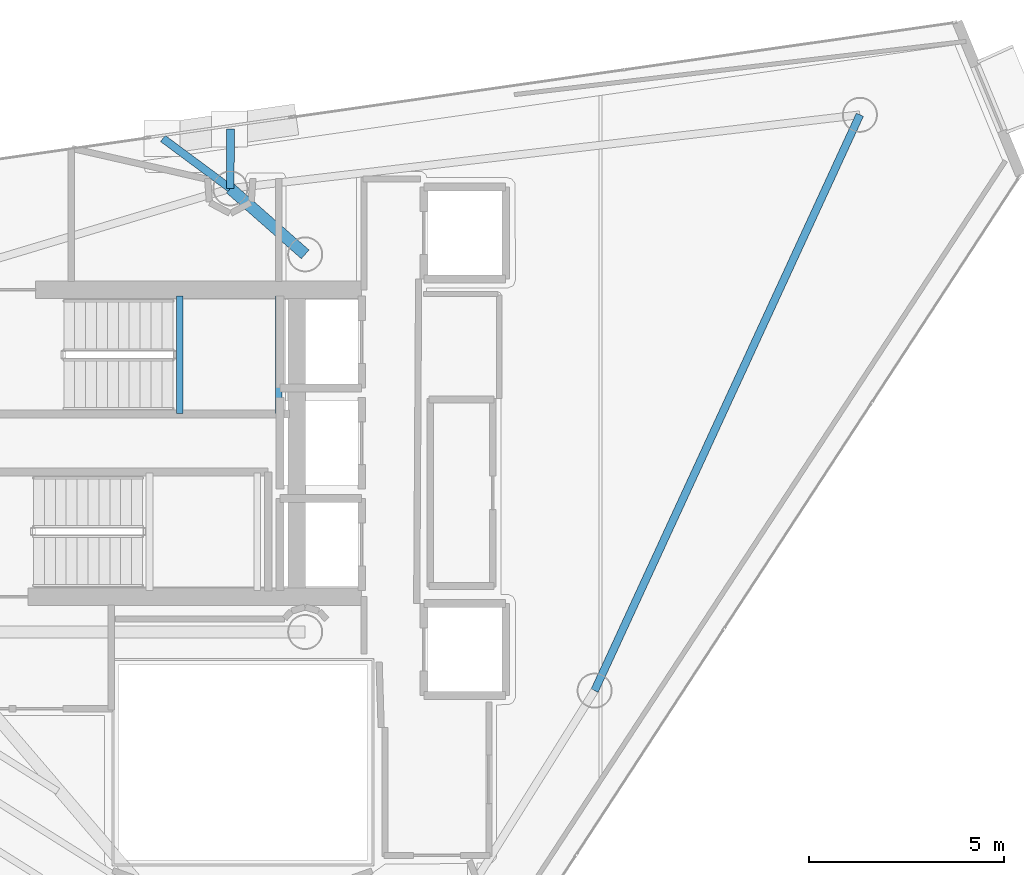
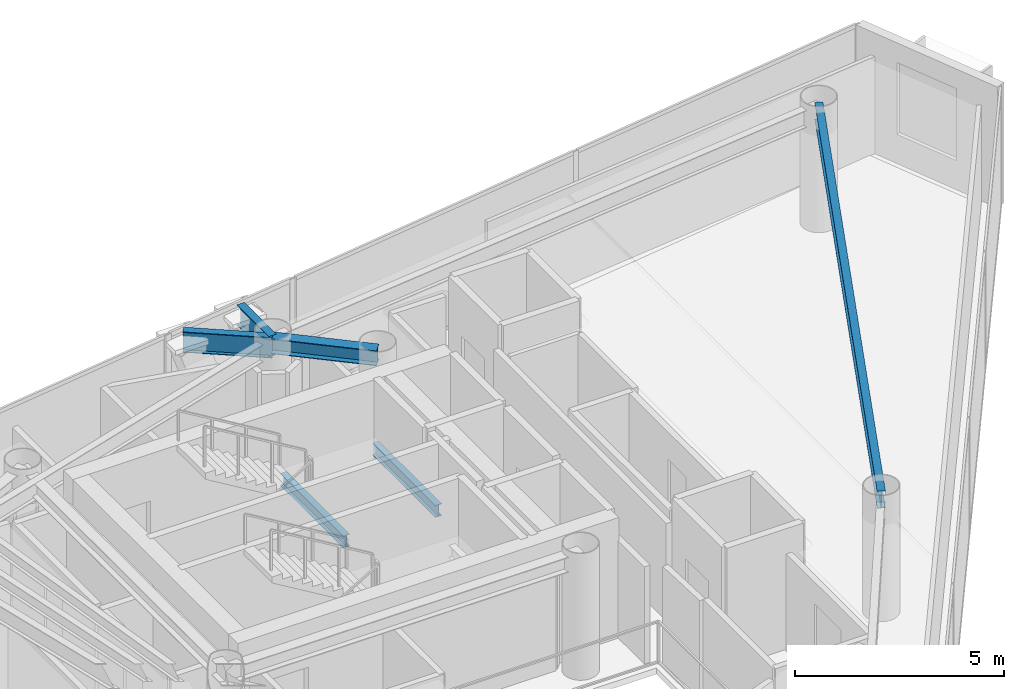
# One storey, part 15 of 25: 6 beams.
"""IFC4 building model written with IfcOpenShell, lengths in metres."""

import ifcopenshell
import ifcopenshell.guid

model = None  # the IFC model being written
_history = None  # IfcOwnerHistory: only IFC2X3 demands one
_inside = {}  # id of a spatial element -> (the spatial element, [elements in it])
_under = {}  # id of a project, library or spatial element -> (it, [spatial elements below it])
_declared = {}  # id of a project -> (the project, [libraries it declares])
_typed = {}  # id of a type object -> (the type object, [elements of that type])
_made_of = {}  # id of a material, layer set ... -> (it, [elements and type objects made of it])


def new_model(schema):
    """Start an empty IFC model of exactly this schema.

    Asked for "IFC4X3", IfcOpenShell would pick the latest addendum, in which some entities
    have other attributes; the version numbers below select the first issue.
    IFC2X3 requires an IfcOwnerHistory on every rooted entity: one is made here for all.
    """
    global model, _history
    if schema == "IFC4X3":
        model = ifcopenshell.file(schema_version=(4, 3, 0, 0))
    else:
        model = ifcopenshell.file(schema=schema)
    _inside.clear()
    _under.clear()
    _declared.clear()
    _typed.clear()
    _made_of.clear()
    _history = None
    if model.schema == "IFC2X3":
        org = make("IfcOrganization", Name="unknown")
        user = make(
            "IfcPersonAndOrganization",
            ThePerson=make("IfcPerson", FamilyName="unknown"),
            TheOrganization=org,
        )
        app = make(
            "IfcApplication",
            ApplicationDeveloper=org,
            Version="unknown",
            ApplicationFullName="unknown",
            ApplicationIdentifier="unknown",
        )
        _history = make(
            "IfcOwnerHistory",
            OwningUser=user,
            OwningApplication=app,
            ChangeAction="ADDED",
            CreationDate=0,
        )
    return model


def make(cls, **values):
    """One entity of the class cls with the attributes given. An attribute that is None is left unset."""
    return model.create_entity(
        cls, **{name: value for name, value in values.items() if value is not None}
    )


def rooted(cls, **values):
    """An entity with a GlobalId (a new one), such as an element, a storey or a relation."""
    return make(cls, GlobalId=ifcopenshell.guid.new(), OwnerHistory=_history, **values)


def si_unit(unit_type, name, prefix=None):
    """IfcSIUnit, for example si_unit("LENGTHUNIT", "METRE", prefix="MILLI")."""
    return make("IfcSIUnit", UnitType=unit_type, Prefix=prefix, Name=name)


def assignment(units):
    """IfcUnitAssignment: the units of a project."""
    return None if units is None else make("IfcUnitAssignment", Units=units)


def point(xyz):
    """IfcCartesianPoint."""
    return None if xyz is None else make("IfcCartesianPoint", Coordinates=xyz)


def direction(xyz):
    """IfcDirection."""
    return None if xyz is None else make("IfcDirection", DirectionRatios=xyz)


def frame(location, z_axis=None, x_axis=None):
    """IfcAxis2Placement3D, a coordinate frame: its origin and axes. An axis left out is left unset."""
    return make(
        "IfcAxis2Placement3D",
        Location=point(location),
        Axis=direction(z_axis),
        RefDirection=direction(x_axis),
    )


def frame_2d(location, x_axis=None):
    """IfcAxis2Placement2D, a coordinate frame in the plane: its origin and x axis."""
    return make(
        "IfcAxis2Placement2D", Location=point(location), RefDirection=direction(x_axis)
    )


def origin():
    """The frame at (0, 0, 0) with its axes left unset."""
    return frame((0.0, 0.0, 0.0))


def origin_2d():
    """The frame at (0, 0) in the plane with its x axis left unset."""
    return frame_2d((0.0, 0.0))


def place(relative_to, where):
    """IfcLocalPlacement: puts the frame where relative to a parent placement (None: the world)."""
    return make(
        "IfcLocalPlacement", PlacementRelTo=relative_to, RelativePlacement=where
    )


def context(
    kind, dimensions, precision=None, world=None, true_north=None, identifier=None
):
    """IfcGeometricRepresentationContext, for example the 3D "Model" context."""
    return make(
        "IfcGeometricRepresentationContext",
        ContextIdentifier=identifier,
        ContextType=kind,
        CoordinateSpaceDimension=dimensions,
        Precision=precision,
        WorldCoordinateSystem=world,
        TrueNorth=true_north,
    )


def subcontext(parent, identifier, kind, view, scale=None):
    """IfcGeometricRepresentationSubContext, for example "Body" below "Model"."""
    return make(
        "IfcGeometricRepresentationSubContext",
        ContextIdentifier=identifier,
        ContextType=kind,
        ParentContext=parent,
        TargetScale=scale,
        TargetView=view,
    )


def project(units=None, contexts=None):
    """IfcProject with its units and contexts."""
    return rooted(
        "IfcProject",
        Name="project",
        RepresentationContexts=contexts,
        UnitsInContext=assignment(units),
    )


def spatial(cls, under=None, at=None, **own):
    """A site, building, storey or space (cls), placed at a placement, below another one or the project."""
    s = rooted(cls, ObjectPlacement=at, **own)
    if under is not None:
        _under.setdefault(under.id(), (under, []))[1].append(s)
    return s


def profile(cls, at=None, kind="AREA", **sizes):
    """A parametric profile (cls). Its sizes go by their IFC names, for example OverallWidth=200.0."""
    return make(cls, ProfileType=kind, Position=at, **sizes)


def i_section(**sizes):
    """IfcIShapeProfileDef."""
    return profile("IfcIShapeProfileDef", **sizes)


def extrude(swept, where, along, depth):
    """IfcExtrudedAreaSolid: the profile swept, set in the frame where, extruded along a direction by depth."""
    return make(
        "IfcExtrudedAreaSolid",
        SweptArea=swept,
        Position=where,
        ExtrudedDirection=direction(along),
        Depth=depth,
    )


def shape(context_of_items, identifier, shape_type, items):
    """IfcShapeRepresentation: the items that make up one representation, for example the "Body"."""
    return make(
        "IfcShapeRepresentation",
        ContextOfItems=context_of_items,
        RepresentationIdentifier=identifier,
        RepresentationType=shape_type,
        Items=items,
    )


def material(Name=None, Category=None):
    """IfcMaterial."""
    return make("IfcMaterial", Name=Name, Category=Category)


def material_profile(
    of_material, cross_section, Name=None, Category=None, Priority=None
):
    """IfcMaterialProfile: a cross section and its material."""
    return make(
        "IfcMaterialProfile",
        Name=Name,
        Material=of_material,
        Profile=cross_section,
        Priority=Priority,
        Category=Category,
    )


def profile_set(profiles, Name=None, composite=None):
    """IfcMaterialProfileSet."""
    return make(
        "IfcMaterialProfileSet",
        Name=Name,
        MaterialProfiles=profiles,
        CompositeProfile=composite,
    )


def made_of(thing, what):
    """Note that an element or type object is made of a material, layer set ...; save() writes the relation."""
    if what is not None:
        _made_of.setdefault(what.id(), (what, []))[1].append(thing)
    return thing


def type_object(cls, material=None, **own):
    """A type object (cls), such as IfcWallType, which elements share."""
    return made_of(rooted(cls, **own), material)


def element(
    cls,
    number,
    at=None,
    inside=None,
    cuts=None,
    type_object=None,
    material=None,
    context=None,
    identifier="Body",
    shape_type=None,
    held_by="IfcProductDefinitionShape",
    body=None,
    shapes=None,
    **own,
):
    """One element of the class cls, such as IfcWall. Its Tag is "e" and its number.

    at: its placement. inside: the storey or other place that contains it. cuts: it is an
    opening in that element (IfcRelVoidsElement). A single representation is given by context,
    identifier, shape_type and body (its items); several are given by shapes. held_by: the class
    of the entity that holds the representations. save() writes the other relations.
    """
    e = rooted(cls, Tag="e%d" % number, ObjectPlacement=at, **own)
    if body is not None:
        shapes = [shape(context, identifier, shape_type, body)]
    if shapes is not None:
        e.Representation = make(held_by, Representations=shapes)
    if inside is not None:
        _inside.setdefault(inside.id(), (inside, []))[1].append(e)
    if cuts is not None:
        rooted(
            "IfcRelVoidsElement", RelatingBuildingElement=cuts, RelatedOpeningElement=e
        )
    if type_object is not None:
        _typed.setdefault(type_object.id(), (type_object, []))[1].append(e)
    return made_of(e, material)


def aggregate(whole, parts):
    """IfcRelAggregates: a whole, such as a stair, and the parts it consists of."""
    return rooted("IfcRelAggregates", RelatingObject=whole, RelatedObjects=parts)


def save(model, path):
    """Write the relations noted so far, then the file.

    IfcRelAggregates (storeys below a building ...), IfcRelContainedInSpatialStructure (elements
    in a storey), IfcRelDefinesByType, IfcRelAssociatesMaterial and IfcRelDeclares: one each for
    every whole, place, type object, material and project.
    """
    for whole, parts in _under.values():
        aggregate(whole, parts)
    for where, things in _inside.values():
        rooted(
            "IfcRelContainedInSpatialStructure",
            RelatedElements=things,
            RelatingStructure=where,
        )
    for kind, things in _typed.values():
        rooted("IfcRelDefinesByType", RelatedObjects=things, RelatingType=kind)
    for what, things in _made_of.values():
        rooted("IfcRelAssociatesMaterial", RelatedObjects=things, RelatingMaterial=what)
    for by, libraries in _declared.values():
        rooted("IfcRelDeclares", RelatingContext=by, RelatedDefinitions=libraries)
    model.write(path)


model = new_model("IFC4")

# Units and contexts
model_context = context("Model", 3, precision=1e-05, world=origin(), true_north=direction((0.0, 1.0)))
body_context = subcontext(model_context, "Body", "Model", "MODEL_VIEW")
ifc_project = project(units=[si_unit("LENGTHUNIT", "METRE"), si_unit("AREAUNIT", "SQUARE_METRE"), si_unit("VOLUMEUNIT", "CUBIC_METRE"), si_unit("PLANEANGLEUNIT", "RADIAN"), si_unit("MASSUNIT", "GRAM", prefix="KILO")], contexts=[model_context])

# Site, building, storey
site_placement = place(None, origin())
site = spatial("IfcSite", under=ifc_project, at=site_placement, CompositionType="ELEMENT")
building_placement = place(site_placement, origin())
building = spatial("IfcBuilding", under=site, at=building_placement, Name="Qianvela Tower", CompositionType="ELEMENT")
storey_placement = place(building_placement, frame((0.0, 0.0, 288.0)))
storey = spatial("IfcBuildingStorey", under=building, at=storey_placement, Name="L74", CompositionType="ELEMENT", Elevation=288.0)

# Beams
ifc_material_1 = material(Name="Steel Q355B", Category="steel")
ifc_material_profile_1 = material_profile(ifc_material_1, i_section(OverallWidth=0.300048828125, OverallDepth=0.43994140625, WebThickness=0.010986328125, FlangeThickness=0.01806640625, at=origin_2d()), Name="HM440x300x11x18")
ifc_profile_set_1 = profile_set([ifc_material_profile_1], Name="Steel Q355B")
beam_type_1 = type_object("IfcBeamType", Name="BM-HM440-COLL", PredefinedType="BEAM", material=ifc_profile_set_1)
beam_1_placement = place(storey_placement, frame((38.39990234375, 33.550048828125, 3.298095703125), z_axis=(-0.750732416106, 0.660606417928, 0.0), x_axis=(-0.660606417928, -0.750732416106, 0.0)))
element("IfcBeam", 1, at=beam_1_placement, inside=storey, type_object=beam_type_1, Name="L74 Radial Primary Floor Girder 2", PredefinedType="BEAM", context=body_context, shape_type="SweptSolid", body=[
    extrude(i_section(OverallWidth=0.300048828125, OverallDepth=0.43994140625, WebThickness=0.010986328125, FlangeThickness=0.01806640625, at=origin_2d()), origin(), (0.0, 0.0, 1.0), 2.5625),
])
ifc_material_2 = material(Name="Steel Q355B", Category="steel")
ifc_material_profile_2 = material_profile(ifc_material_2, i_section(OverallWidth=0.175048828125, OverallDepth=0.35009765625, WebThickness=0.007080078125, FlangeThickness=0.010986328125, at=origin_2d()), Name="HN350x175x7x11")
ifc_profile_set_2 = profile_set([ifc_material_profile_2], Name="Steel Q355B")
beam_type_2 = type_object("IfcBeamType", Name="BM-HN350-JOIST", PredefinedType="JOIST", material=ifc_profile_set_2)
for number, where, z_axis, x_axis, name in (
    (2, (35.179931640625, 29.4599609375, 1.47509765625), (0.0, 1.0, 0.0), (-1.0, 0.0, 0.0), "L74 Stair ST-1 Landing Support Beam 1.1"),
    (3, (37.719970703125, 29.4599609375, 1.47509765625), (0.0, 1.0, 0.0), (-1.0, 0.0, 0.0), "L74 Stair ST-1 Landing Support Beam 1.2"),
):
    element("IfcBeam", number, at=place(storey_placement, frame(where, z_axis=z_axis, x_axis=x_axis)), inside=storey, type_object=beam_type_2, Name=name, PredefinedType="JOIST", context=body_context, shape_type="SweptSolid", body=[
        extrude(i_section(OverallWidth=0.175048828125, OverallDepth=0.35009765625, WebThickness=0.007080078125, FlangeThickness=0.010986328125, at=origin_2d()), origin(), (0.0, 0.0, 1.0), 3.02001953125),
    ])
ifc_material_3 = material(Name="Steel Q355B", Category="steel")
ifc_material_profile_3 = material_profile(ifc_material_3, i_section(OverallWidth=0.199951171875, OverallDepth=0.5, WebThickness=0.010009765625, FlangeThickness=0.01611328125, at=origin_2d()), Name="HN500x200x10x16")
ifc_profile_set_3 = profile_set([ifc_material_profile_3], Name="Steel Q355B")
beam_type_3 = type_object("IfcBeamType", Name="BM-HN500-GIRD", PredefinedType="BEAM", material=ifc_profile_set_3)
beam_2_placement = place(storey_placement, frame((45.833984375, 22.344970703125, 3.26806640625), z_axis=(0.418440097712, 0.908244396969, 0.0), x_axis=(-0.908244396969, 0.418440097712, 0.0)))
element("IfcBeam", 4, at=beam_2_placement, inside=storey, type_object=beam_type_3, Name="L74 Perimeter Ring Spandrel Girder 6", PredefinedType="BEAM", context=body_context, shape_type="SweptSolid", body=[
    extrude(i_section(OverallWidth=0.199951171875, OverallDepth=0.5, WebThickness=0.010009765625, FlangeThickness=0.01611328125, at=origin_2d()), origin(), (0.0, 0.0, 1.0), 16.2841796875),
])
ifc_material_4 = material(Name="Steel Q355B", Category="steel")
ifc_material_profile_4 = material_profile(ifc_material_4, i_section(OverallWidth=0.199951171875, OverallDepth=0.60009765625, WebThickness=0.010986328125, FlangeThickness=0.01708984375, at=origin_2d()), Name="HN600x200x11x17")
ifc_profile_set_4 = profile_set([ifc_material_profile_4], Name="Steel Q355B")
beam_type_4 = type_object("IfcBeamType", Name="BM-HN600-GIRD", PredefinedType="BEAM", material=ifc_profile_set_4)
beam_3_placement = place(storey_placement, frame((36.47607421875, 35.242919921875, 3.218017578125), z_axis=(0.002392719263, 0.999997137443, 0.0), x_axis=(-0.999997137443, 0.002392719263, 0.0)))
element("IfcBeam", 5, at=beam_3_placement, inside=storey, type_object=beam_type_4, Name="L74 Mega-Brace Column Tie Bracket F1-1", PredefinedType="BEAM", context=body_context, shape_type="SweptSolid", body=[
    extrude(i_section(OverallWidth=0.199951171875, OverallDepth=0.60009765625, WebThickness=0.010986328125, FlangeThickness=0.01708984375, at=origin_2d()), origin(), (0.0, 0.0, 1.0), 1.530517578125),
])
beam_4_placement = place(storey_placement, frame((36.47607421875, 35.242919921875, 3.218017578125), z_axis=(-0.803521064432, 0.595276321563, 0.0), x_axis=(-0.595276321563, -0.803521064432, 0.0)))
element("IfcBeam", 6, at=beam_4_placement, inside=storey, type_object=beam_type_4, Name="L74 Mega-Brace Column Tie Bracket F1-2", PredefinedType="BEAM", context=body_context, shape_type="SweptSolid", body=[
    extrude(i_section(OverallWidth=0.199951171875, OverallDepth=0.60009765625, WebThickness=0.010986328125, FlangeThickness=0.01708984375, at=origin_2d()), origin(), (0.0, 0.0, 1.0), 2.15478515625),
])

save(model, "model.ifc")
